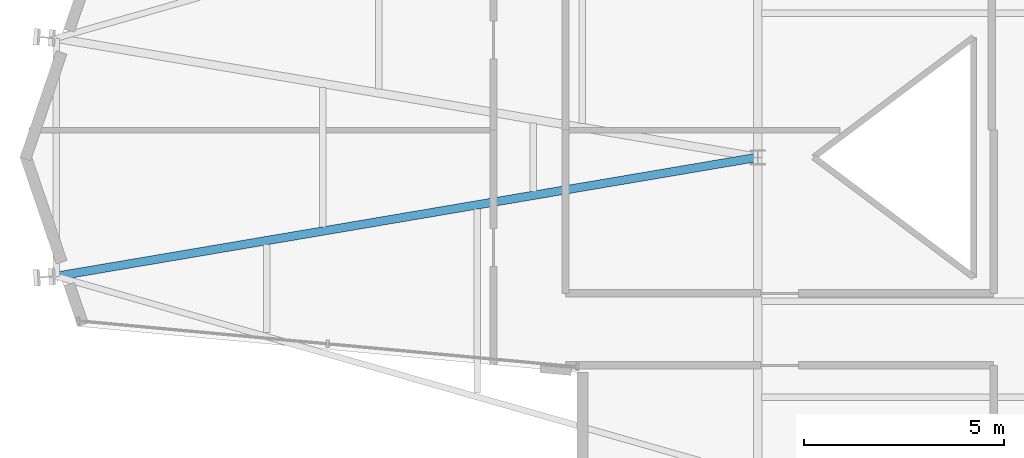
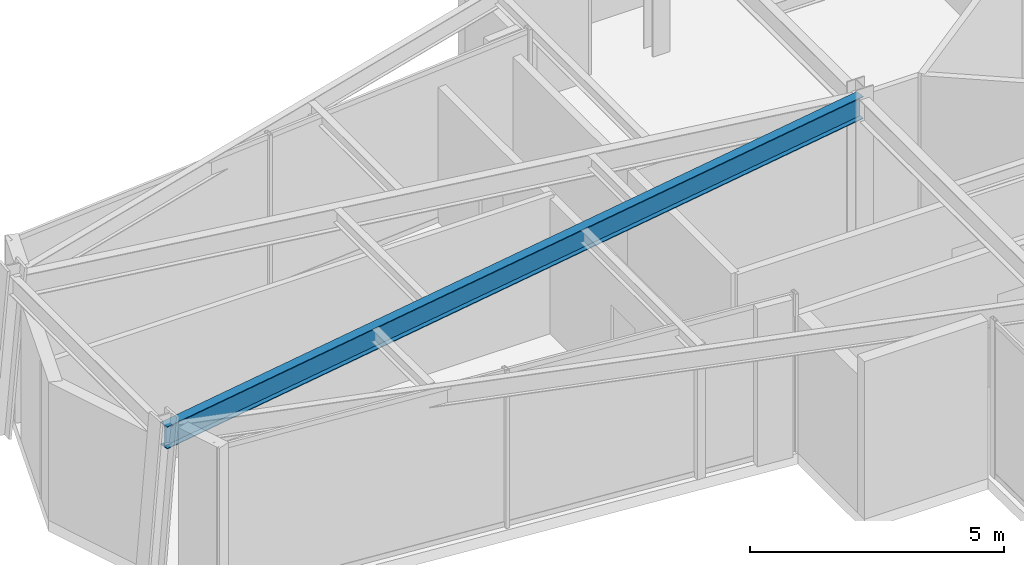
# One storey, part 5 of 21: 1 beam.
"""IFC4 building model written with IfcOpenShell, lengths in metres."""

from ifc_helpers import new_model, si_unit, direction, frame, origin, origin_2d, place, context, subcontext, project, spatial, i_section, extrude, material, material_profile, profile_set, type_object, element, save


model = new_model("IFC4")

# Units and contexts
model_context = context("Model", 3, precision=1e-05, world=origin(), true_north=direction((0.0, 1.0)))
body_context = subcontext(model_context, "Body", "Model", "MODEL_VIEW")
ifc_project = project(units=[si_unit("LENGTHUNIT", "METRE"), si_unit("AREAUNIT", "SQUARE_METRE"), si_unit("VOLUMEUNIT", "CUBIC_METRE"), si_unit("PLANEANGLEUNIT", "RADIAN"), si_unit("MASSUNIT", "GRAM", prefix="KILO")], contexts=[model_context])

# Site, building, storey
site_placement = place(None, origin())
site = spatial("IfcSite", under=ifc_project, at=site_placement, CompositionType="ELEMENT")
building_placement = place(site_placement, origin())
building = spatial("IfcBuilding", under=site, at=building_placement, Name="Veymaron Broadcast Tower", CompositionType="ELEMENT")
storey_placement = place(building_placement, frame((0.0, 0.0, 212.10009765625)))
storey = spatial("IfcBuildingStorey", under=building, at=storey_placement, Name="L49", CompositionType="ELEMENT", Elevation=212.10009765625)

# Beam
ifc_material = material(Name="Structural steel ASTM A992 Gr 50", Category="steel")
ifc_material_profile = material_profile(ifc_material, i_section(OverallWidth=0.2099609375, OverallDepth=0.537109375, WebThickness=0.010986328125, FlangeThickness=0.017333984375, at=origin_2d()), Name="W530X101")
ifc_profile_set = profile_set([ifc_material_profile], Name="Structural steel ASTM A992 Gr 50")
beam_type = type_object("IfcBeamType", Name="BM-FG3", PredefinedType="BEAM", material=ifc_profile_set)
beam_placement = place(storey_placement, frame((13.6650390625, 21.02490234375, 3.521484375), z_axis=(0.985910023747, 0.167276492897, 0.0), x_axis=(-0.167276492897, 0.985910023747, 0.0)))
element("IfcBeam", 1, at=beam_placement, inside=storey, type_object=beam_type, Name="L49 primary structural floor girder", PredefinedType="BEAM", context=body_context, shape_type="SweptSolid", body=[
    extrude(i_section(OverallWidth=0.2099609375, OverallDepth=0.537109375, WebThickness=0.010986328125, FlangeThickness=0.017333984375, at=origin_2d()), origin(), (0.0, 0.0, 1.0), 17.785400390625),
])

save(model, "model.ifc")
